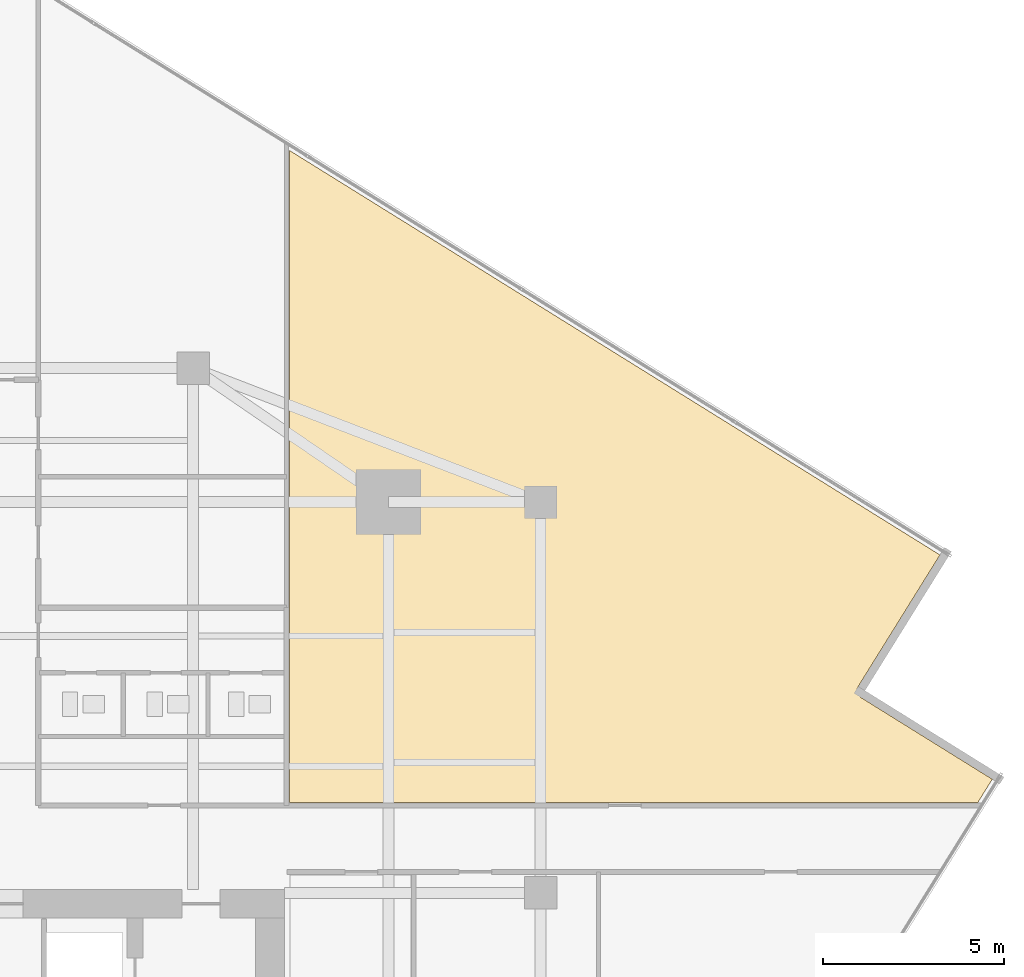
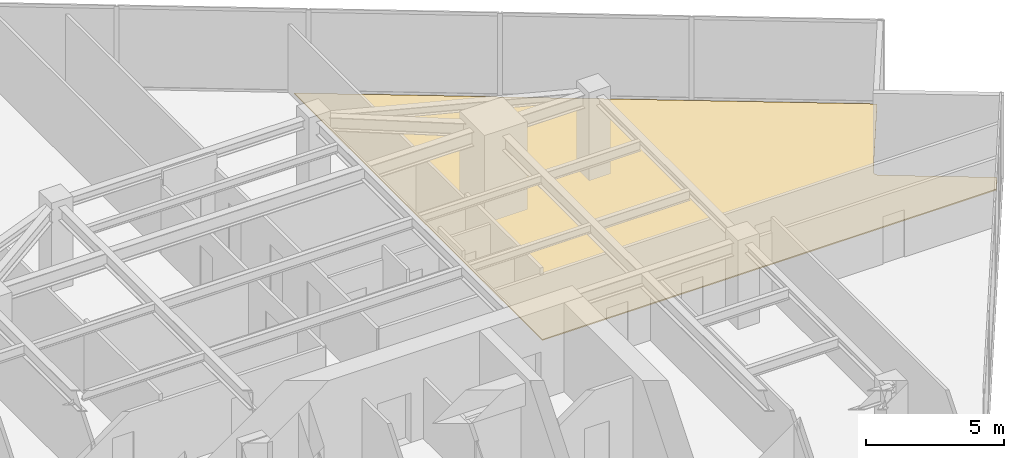
# One storey, part 25 of 26: 1 covering.
"""IFC4 building model written with IfcOpenShell, lengths in metres."""

from ifc_helpers import new_model, si_unit, direction, frame, origin, place, context, subcontext, project, spatial, polyline, outline, extrude, material, layer, layer_set, type_object, element, save


model = new_model("IFC4")

# Units and contexts
model_context = context("Model", 3, precision=1e-05, world=origin(), true_north=direction((0.0, 1.0)))
body_context = subcontext(model_context, "Body", "Model", "MODEL_VIEW")
ifc_project = project(units=[si_unit("LENGTHUNIT", "METRE"), si_unit("AREAUNIT", "SQUARE_METRE"), si_unit("VOLUMEUNIT", "CUBIC_METRE"), si_unit("PLANEANGLEUNIT", "RADIAN"), si_unit("MASSUNIT", "GRAM", prefix="KILO")], contexts=[model_context])

# Site, building, storey
site_placement = place(None, origin())
site = spatial("IfcSite", under=ifc_project, at=site_placement, CompositionType="ELEMENT")
building_placement = place(site_placement, origin())
building = spatial("IfcBuilding", under=site, at=building_placement, Name="Krantzveldt Concourse Tower", CompositionType="ELEMENT")
storey_placement = place(building_placement, frame((0.0, 0.0, 173.85009765625)))
storey = spatial("IfcBuildingStorey", under=building, at=storey_placement, Name="L42", CompositionType="ELEMENT", Elevation=173.85009765625)

# Covering
ifc_material = material(Name="Calcium-sulphate raised access floor panel", Category="flooring")
ifc_layer = layer(ifc_material, 0.050048828125, Name="Calcium-sulphate raised access floor panel", Category="flooring")
ifc_layer_set = layer_set([ifc_layer], Name="Calcium-sulphate raised access floor panel (COV-FLOOR-RAISED)")
covering_type = type_object("IfcCoveringType", Name="COV-FLOOR-RAISED", PredefinedType="FLOORING", material=ifc_layer_set)
covering_placement = place(storey_placement, origin())
element("IfcCovering", 1, at=covering_placement, inside=storey, type_object=covering_type, Name="FLR-SP-L42-NEX1", PredefinedType="FLOORING", context=body_context, shape_type="SweptSolid", body=[
    extrude(outline(polyline([(44.06005859375, 47.2177734375), (62.037841796875, 36.03857421875), (59.777587890625, 32.40380859375), (59.76708984375, 32.385009765625), (59.758544921875, 32.365234375), (59.751953125, 32.3447265625), (59.74755859375, 32.323486328125), (59.744873046875, 32.30224609375), (59.74462890625, 32.280517578125), (59.746337890625, 32.259033203125), (59.750244140625, 32.23779296875), (59.756103515625, 32.217041015625), (59.76416015625, 32.197021484375), (59.77392578125, 32.177734375), (59.78564453125, 32.15966796875), (59.799072265625, 32.142578125), (59.814208984375, 32.127197265625), (59.83056640625, 32.11328125), (59.848388671875, 32.100830078125), (63.48291015625, 29.8408203125), (63.08447265625, 29.199951171875), (44.06005859375, 29.199951171875), (44.06005859375, 47.2177734375)])), origin(), (0.0, 0.0, 1.0), 0.0498046875),
])

save(model, "model.ifc")
